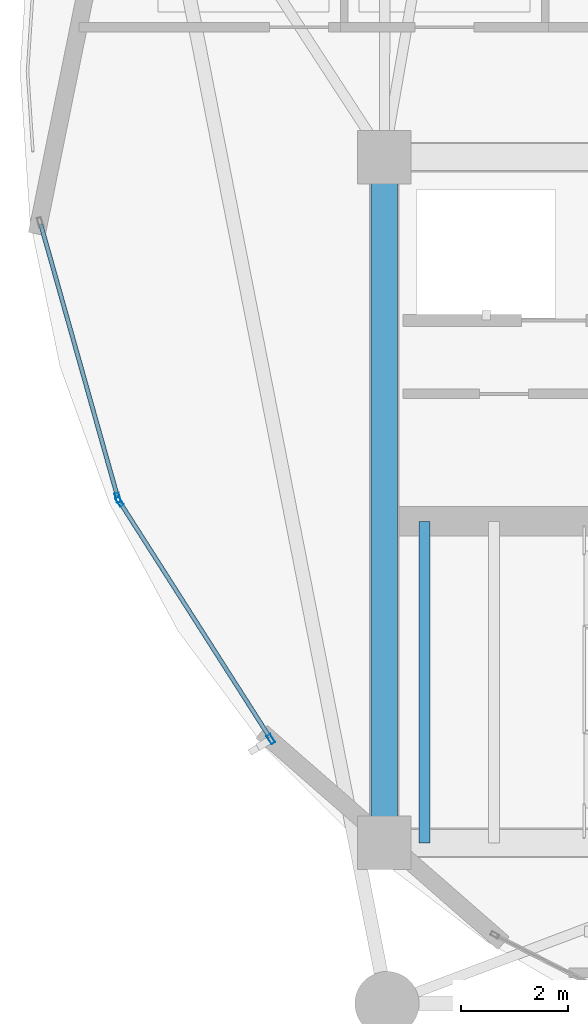
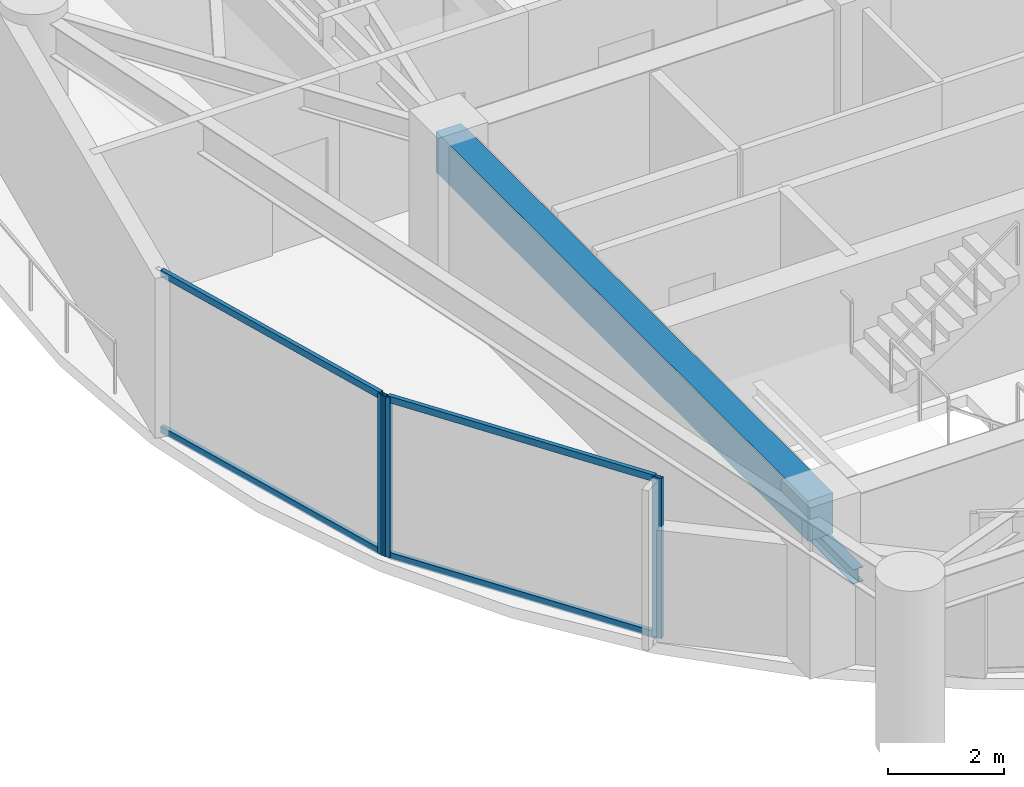
# One storey, part 3 of 28: 7 members, 2 beams, 2 elements without a shape of their own.
"""IFC4 building model written with IfcOpenShell, lengths in metres."""

from ifc_helpers import new_model, si_unit, direction, frame, origin, origin_2d, place, context, subcontext, project, spatial, rectangle, hollow_rectangle, i_section, extrude, material, layer, layer_set, material_profile, profile_set, type_object, element, aggregate, save


model = new_model("IFC4")

# Units and contexts
model_context = context("Model", 3, precision=1e-05, world=origin(), true_north=direction((0.0, 1.0)))
body_context = subcontext(model_context, "Body", "Model", "MODEL_VIEW")
ifc_project = project(units=[si_unit("LENGTHUNIT", "METRE"), si_unit("AREAUNIT", "SQUARE_METRE"), si_unit("VOLUMEUNIT", "CUBIC_METRE"), si_unit("PLANEANGLEUNIT", "RADIAN"), si_unit("MASSUNIT", "GRAM", prefix="KILO")], contexts=[model_context])

# Site, building, storey
site_placement = place(None, origin())
site = spatial("IfcSite", under=ifc_project, at=site_placement, CompositionType="ELEMENT")
building_placement = place(site_placement, origin())
building = spatial("IfcBuilding", under=site, at=building_placement, Name="Kazevale Care Tower and Concert Hall", CompositionType="ELEMENT")
storey_placement = place(building_placement, frame((0.0, 0.0, 120.60009765625)))
storey = spatial("IfcBuildingStorey", under=building, at=storey_placement, Name="L31", CompositionType="ELEMENT", Elevation=120.60009765625)

# Curtain wall, members
ifc_material_1 = material(Name="Aluminium 6063-T6 and Low-E Glass", Category="aluminium")
ifc_layer = layer(ifc_material_1, 0.179931640625)
ifc_layer_set = layer_set([ifc_layer], Name="Aluminium 6063-T6 and Low-E Glass")
curtain_wall_type = type_object("IfcCurtainWallType", Name="Waist & Upper Residential Curtain Wall CW-4", PredefinedType="NOTDEFINED", material=ifc_layer_set)
curtain_wall_1_placement = place(storey_placement, origin())
curtain_wall_1 = element("IfcCurtainWall", 1, at=curtain_wall_1_placement, inside=storey, type_object=curtain_wall_type, Name="cw:L31:f11", PredefinedType="NOTDEFINED")
ifc_material_2 = material(Name="Aluminium 6063-T6", Category="aluminium")
ifc_material_profile_1 = material_profile(ifc_material_2, hollow_rectangle(XDim=0.080078125, YDim=0.179931640625, WallThickness=0.0048828125, at=origin_2d()), Name="ALU80x180x5")
ifc_profile_set_1 = profile_set([ifc_material_profile_1], Name="Aluminium 6063-T6")
member_type_1 = type_object("IfcMemberType", Name="CW-4 Mullion ALU80x180x5", PredefinedType="MULLION", material=ifc_profile_set_1)
member_1_placement = place(storey_placement, frame((19.882568359375, 25.53564453125, 0.0), z_axis=(0.0, 0.0, 1.0), x_axis=(-0.843429930967, -0.537239193981, 0.0)))
member_1 = element("IfcMember", 2, at=member_1_placement, type_object=member_type_1, Name="CW-4 mullion 1", PredefinedType="MULLION", context=body_context, shape_type="SweptSolid", body=[
    extrude(hollow_rectangle(XDim=0.080078125, YDim=0.179931640625, WallThickness=0.0048828125, at=origin_2d()), origin(), (0.0, 0.0, 1.0), 3.35986328125),
])
member_2_placement = place(storey_placement, frame((17.05859375, 29.96923828125, 0.0), z_axis=(0.0, 0.0, 1.0), x_axis=(-0.843429930967, -0.537239193981, 0.0)))
member_2 = element("IfcMember", 3, at=member_2_placement, type_object=member_type_1, Name="CW-4 mullion 2", PredefinedType="MULLION", context=body_context, shape_type="SweptSolid", body=[
    extrude(hollow_rectangle(XDim=0.080078125, YDim=0.179931640625, WallThickness=0.0048828125, at=origin_2d()), origin(), (0.0, 0.0, 1.0), 3.35986328125),
])

# Curtain wall, member
curtain_wall_2_placement = place(storey_placement, origin())
curtain_wall_2 = element("IfcCurtainWall", 4, at=curtain_wall_2_placement, inside=storey, type_object=curtain_wall_type, Name="cw:L31:f12", PredefinedType="NOTDEFINED")
member_3_placement = place(storey_placement, frame((17.026123046875, 30.04150390625, 0.0), z_axis=(0.0, 0.0, 1.0), x_axis=(-0.962499078876, -0.271284948278, 0.0)))
member_3 = element("IfcMember", 5, at=member_3_placement, type_object=member_type_1, Name="CW-4 mullion 1", PredefinedType="MULLION", context=body_context, shape_type="SweptSolid", body=[
    extrude(hollow_rectangle(XDim=0.080078125, YDim=0.179931640625, WallThickness=0.0048828125, at=origin_2d()), origin(), (0.0, 0.0, 1.0), 3.35986328125),
])

# Member
ifc_material_profile_2 = material_profile(ifc_material_2, hollow_rectangle(XDim=0.080078125, YDim=0.139892578125, WallThickness=0.00390625, at=origin_2d()), Name="ALU80x140x4")
ifc_profile_set_2 = profile_set([ifc_material_profile_2], Name="Aluminium 6063-T6")
member_type_2 = type_object("IfcMemberType", Name="CW-4 Transom ALU80x140x4", PredefinedType="USERDEFINED", material=ifc_profile_set_2)
member_4_placement = place(storey_placement, frame((19.861083984375, 25.569580078125, 0.039794921875), z_axis=(-0.537241653837, 0.843428364109, 0.0), x_axis=(-0.843428364109, -0.537241653837, 0.0)))
member_4 = element("IfcMember", 6, at=member_4_placement, type_object=member_type_2, Name="CW-4 transom 1.1", ObjectType="TRANSOM", PredefinedType="USERDEFINED", context=body_context, shape_type="SweptSolid", body=[
    extrude(hollow_rectangle(XDim=0.080078125, YDim=0.139892578125, WallThickness=0.00390625, at=origin_2d()), origin(), (0.0, 0.0, 1.0), 5.176513671875),
])

member_5_placement = place(storey_placement, frame((19.861083984375, 25.569580078125, 3.31982421875), z_axis=(-0.537241653837, 0.843428364109, 0.0), x_axis=(-0.843428364109, -0.537241653837, 0.0)))
member_5 = element("IfcMember", 7, at=member_5_placement, type_object=member_type_2, Name="CW-4 transom 1.2", ObjectType="TRANSOM", PredefinedType="USERDEFINED", context=body_context, shape_type="SweptSolid", body=[
    extrude(hollow_rectangle(XDim=0.080078125, YDim=0.139892578125, WallThickness=0.00390625, at=origin_2d()), origin(), (0.0, 0.0, 1.0), 5.176513671875),
])

aggregate(curtain_wall_1, [member_1, member_2, member_4, member_5])

member_6_placement = place(storey_placement, frame((17.015380859375, 30.080078125, 0.039794921875), z_axis=(-0.271312503244, 0.962491311952, 0.0), x_axis=(-0.962491311952, -0.271312503244, 0.0)))
member_6 = element("IfcMember", 8, at=member_6_placement, type_object=member_type_2, Name="CW-4 transom 1.1", ObjectType="TRANSOM", PredefinedType="USERDEFINED", context=body_context, shape_type="SweptSolid", body=[
    extrude(hollow_rectangle(XDim=0.080078125, YDim=0.139892578125, WallThickness=0.00390625, at=origin_2d()), origin(), (0.0, 0.0, 1.0), 5.26220703125),
])

member_7_placement = place(storey_placement, frame((17.015380859375, 30.080078125, 3.31982421875), z_axis=(-0.271312503244, 0.962491311952, 0.0), x_axis=(-0.962491311952, -0.271312503244, 0.0)))
member_7 = element("IfcMember", 9, at=member_7_placement, type_object=member_type_2, Name="CW-4 transom 1.2", ObjectType="TRANSOM", PredefinedType="USERDEFINED", context=body_context, shape_type="SweptSolid", body=[
    extrude(hollow_rectangle(XDim=0.080078125, YDim=0.139892578125, WallThickness=0.00390625, at=origin_2d()), origin(), (0.0, 0.0, 1.0), 5.26220703125),
])

aggregate(curtain_wall_2, [member_3, member_6, member_7])

# Beams
ifc_material_3 = material(Name="Concrete C60", Category="concrete")
ifc_material_profile_3 = material_profile(ifc_material_3, rectangle(XDim=0.5, YDim=0.85009765625, at=origin_2d()), Name="RC-B500x850")
ifc_profile_set_3 = profile_set([ifc_material_profile_3], Name="Concrete C60")
beam_type_1 = type_object("IfcBeamType", Name="Core Coupling Beam RC500x850", PredefinedType="LINTEL", material=ifc_profile_set_3)
beam_1_placement = place(storey_placement, frame((22.0, 36.39990234375, 2.934814453125), z_axis=(0.0, -1.0, 0.0), x_axis=(1.0, 0.0, 0.0)))
element("IfcBeam", 10, at=beam_1_placement, inside=storey, type_object=beam_type_1, Name="beam:L31:coretie:8", PredefinedType="LINTEL", context=body_context, shape_type="SweptSolid", body=[
    extrude(rectangle(XDim=0.5, YDim=0.85009765625, at=origin_2d()), origin(), (0.0, 0.0, 1.0), 12.7998046875),
])
ifc_material_4 = material(Name="Steel ASTM A572 Gr 50", Category="steel")
ifc_material_profile_4 = material_profile(ifc_material_4, i_section(OverallWidth=0.202880859375, OverallDepth=0.302978515625, WebThickness=0.007568359375, FlangeThickness=0.01318359375, at=origin_2d()), Name="W310x60")
ifc_profile_set_4 = profile_set([ifc_material_profile_4], Name="Steel ASTM A572 Gr 50")
beam_type_2 = type_object("IfcBeamType", Name="Stair & Balcony Trimmer W310x60", PredefinedType="BEAM", material=ifc_profile_set_4)
beam_2_placement = place(storey_placement, frame((22.75, 23.60009765625, 1.448486328125), z_axis=(0.0, 1.0, 0.0), x_axis=(-1.0, 0.0, 0.0)))
element("IfcBeam", 11, at=beam_2_placement, inside=storey, type_object=beam_type_2, Name="beam:L31:sttrim:ST1", PredefinedType="BEAM", context=body_context, shape_type="SweptSolid", body=[
    extrude(i_section(OverallWidth=0.202880859375, OverallDepth=0.302978515625, WebThickness=0.007568359375, FlangeThickness=0.01318359375, at=origin_2d()), origin(), (0.0, 0.0, 1.0), 6.0),
])

save(model, "model.ifc")
